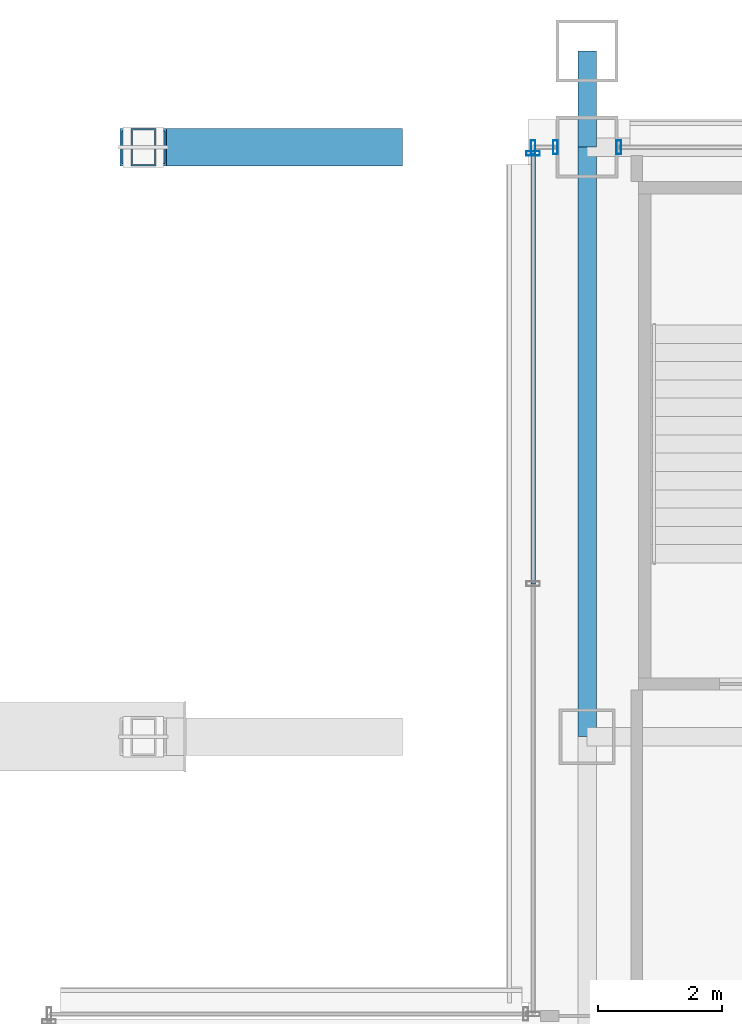
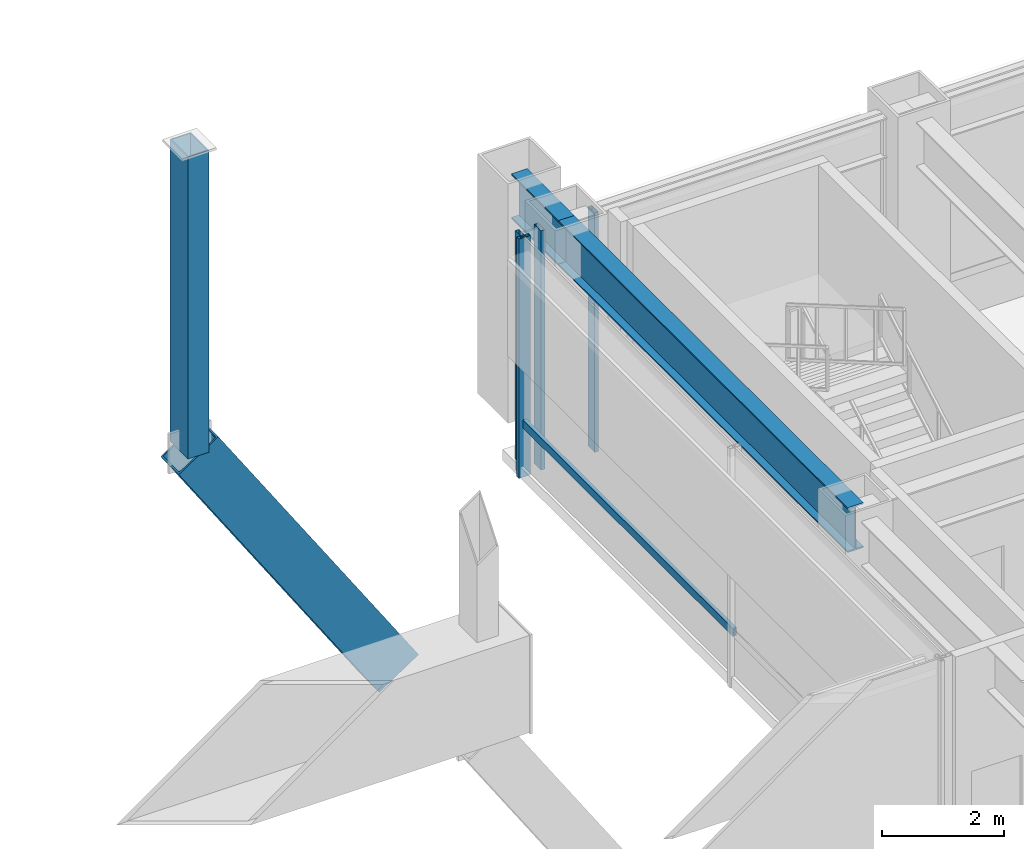
# One storey, part 26 of 42: 7 members, 2 beams, 3 elements without a shape of their own.
"""IFC4 building model written with IfcOpenShell, lengths in metres."""

import ifcopenshell
import ifcopenshell.guid

model = None  # the IFC model being written
_history = None  # IfcOwnerHistory: only IFC2X3 demands one
_inside = {}  # id of a spatial element -> (the spatial element, [elements in it])
_under = {}  # id of a project, library or spatial element -> (it, [spatial elements below it])
_declared = {}  # id of a project -> (the project, [libraries it declares])
_typed = {}  # id of a type object -> (the type object, [elements of that type])
_made_of = {}  # id of a material, layer set ... -> (it, [elements and type objects made of it])


def new_model(schema):
    """Start an empty IFC model of exactly this schema.

    Asked for "IFC4X3", IfcOpenShell would pick the latest addendum, in which some entities
    have other attributes; the version numbers below select the first issue.
    IFC2X3 requires an IfcOwnerHistory on every rooted entity: one is made here for all.
    """
    global model, _history
    if schema == "IFC4X3":
        model = ifcopenshell.file(schema_version=(4, 3, 0, 0))
    else:
        model = ifcopenshell.file(schema=schema)
    _inside.clear()
    _under.clear()
    _declared.clear()
    _typed.clear()
    _made_of.clear()
    _history = None
    if model.schema == "IFC2X3":
        org = make("IfcOrganization", Name="unknown")
        user = make(
            "IfcPersonAndOrganization",
            ThePerson=make("IfcPerson", FamilyName="unknown"),
            TheOrganization=org,
        )
        app = make(
            "IfcApplication",
            ApplicationDeveloper=org,
            Version="unknown",
            ApplicationFullName="unknown",
            ApplicationIdentifier="unknown",
        )
        _history = make(
            "IfcOwnerHistory",
            OwningUser=user,
            OwningApplication=app,
            ChangeAction="ADDED",
            CreationDate=0,
        )
    return model


def make(cls, **values):
    """One entity of the class cls with the attributes given. An attribute that is None is left unset."""
    return model.create_entity(
        cls, **{name: value for name, value in values.items() if value is not None}
    )


def rooted(cls, **values):
    """An entity with a GlobalId (a new one), such as an element, a storey or a relation."""
    return make(cls, GlobalId=ifcopenshell.guid.new(), OwnerHistory=_history, **values)


def si_unit(unit_type, name, prefix=None):
    """IfcSIUnit, for example si_unit("LENGTHUNIT", "METRE", prefix="MILLI")."""
    return make("IfcSIUnit", UnitType=unit_type, Prefix=prefix, Name=name)


def assignment(units):
    """IfcUnitAssignment: the units of a project."""
    return None if units is None else make("IfcUnitAssignment", Units=units)


def point(xyz):
    """IfcCartesianPoint."""
    return None if xyz is None else make("IfcCartesianPoint", Coordinates=xyz)


def direction(xyz):
    """IfcDirection."""
    return None if xyz is None else make("IfcDirection", DirectionRatios=xyz)


def frame(location, z_axis=None, x_axis=None):
    """IfcAxis2Placement3D, a coordinate frame: its origin and axes. An axis left out is left unset."""
    return make(
        "IfcAxis2Placement3D",
        Location=point(location),
        Axis=direction(z_axis),
        RefDirection=direction(x_axis),
    )


def frame_2d(location, x_axis=None):
    """IfcAxis2Placement2D, a coordinate frame in the plane: its origin and x axis."""
    return make(
        "IfcAxis2Placement2D", Location=point(location), RefDirection=direction(x_axis)
    )


def origin():
    """The frame at (0, 0, 0) with its axes left unset."""
    return frame((0.0, 0.0, 0.0))


def origin_2d():
    """The frame at (0, 0) in the plane with its x axis left unset."""
    return frame_2d((0.0, 0.0))


def place(relative_to, where):
    """IfcLocalPlacement: puts the frame where relative to a parent placement (None: the world)."""
    return make(
        "IfcLocalPlacement", PlacementRelTo=relative_to, RelativePlacement=where
    )


def context(
    kind, dimensions, precision=None, world=None, true_north=None, identifier=None
):
    """IfcGeometricRepresentationContext, for example the 3D "Model" context."""
    return make(
        "IfcGeometricRepresentationContext",
        ContextIdentifier=identifier,
        ContextType=kind,
        CoordinateSpaceDimension=dimensions,
        Precision=precision,
        WorldCoordinateSystem=world,
        TrueNorth=true_north,
    )


def subcontext(parent, identifier, kind, view, scale=None):
    """IfcGeometricRepresentationSubContext, for example "Body" below "Model"."""
    return make(
        "IfcGeometricRepresentationSubContext",
        ContextIdentifier=identifier,
        ContextType=kind,
        ParentContext=parent,
        TargetScale=scale,
        TargetView=view,
    )


def project(units=None, contexts=None):
    """IfcProject with its units and contexts."""
    return rooted(
        "IfcProject",
        Name="project",
        RepresentationContexts=contexts,
        UnitsInContext=assignment(units),
    )


def spatial(cls, under=None, at=None, **own):
    """A site, building, storey or space (cls), placed at a placement, below another one or the project."""
    s = rooted(cls, ObjectPlacement=at, **own)
    if under is not None:
        _under.setdefault(under.id(), (under, []))[1].append(s)
    return s


def profile(cls, at=None, kind="AREA", **sizes):
    """A parametric profile (cls). Its sizes go by their IFC names, for example OverallWidth=200.0."""
    return make(cls, ProfileType=kind, Position=at, **sizes)


def hollow_rectangle(**sizes):
    """IfcRectangleHollowProfileDef."""
    return profile("IfcRectangleHollowProfileDef", **sizes)


def i_section(**sizes):
    """IfcIShapeProfileDef."""
    return profile("IfcIShapeProfileDef", **sizes)


def extrude(swept, where, along, depth):
    """IfcExtrudedAreaSolid: the profile swept, set in the frame where, extruded along a direction by depth."""
    return make(
        "IfcExtrudedAreaSolid",
        SweptArea=swept,
        Position=where,
        ExtrudedDirection=direction(along),
        Depth=depth,
    )


def shape(context_of_items, identifier, shape_type, items):
    """IfcShapeRepresentation: the items that make up one representation, for example the "Body"."""
    return make(
        "IfcShapeRepresentation",
        ContextOfItems=context_of_items,
        RepresentationIdentifier=identifier,
        RepresentationType=shape_type,
        Items=items,
    )


def material(Name=None, Category=None):
    """IfcMaterial."""
    return make("IfcMaterial", Name=Name, Category=Category)


def layer(
    of_material, thickness, ventilated=None, Name=None, Category=None, Priority=None
):
    """IfcMaterialLayer: one layer of a wall or slab, of a material (None: an air gap)."""
    return make(
        "IfcMaterialLayer",
        Material=of_material,
        LayerThickness=thickness,
        IsVentilated=ventilated,
        Name=Name,
        Category=Category,
        Priority=Priority,
    )


def layer_set(layers, Name=None):
    """IfcMaterialLayerSet."""
    return make("IfcMaterialLayerSet", MaterialLayers=layers, LayerSetName=Name)


def material_profile(
    of_material, cross_section, Name=None, Category=None, Priority=None
):
    """IfcMaterialProfile: a cross section and its material."""
    return make(
        "IfcMaterialProfile",
        Name=Name,
        Material=of_material,
        Profile=cross_section,
        Priority=Priority,
        Category=Category,
    )


def profile_set(profiles, Name=None, composite=None):
    """IfcMaterialProfileSet."""
    return make(
        "IfcMaterialProfileSet",
        Name=Name,
        MaterialProfiles=profiles,
        CompositeProfile=composite,
    )


def made_of(thing, what):
    """Note that an element or type object is made of a material, layer set ...; save() writes the relation."""
    if what is not None:
        _made_of.setdefault(what.id(), (what, []))[1].append(thing)
    return thing


def type_object(cls, material=None, **own):
    """A type object (cls), such as IfcWallType, which elements share."""
    return made_of(rooted(cls, **own), material)


def element(
    cls,
    number,
    at=None,
    inside=None,
    cuts=None,
    type_object=None,
    material=None,
    context=None,
    identifier="Body",
    shape_type=None,
    held_by="IfcProductDefinitionShape",
    body=None,
    shapes=None,
    **own,
):
    """One element of the class cls, such as IfcWall. Its Tag is "e" and its number.

    at: its placement. inside: the storey or other place that contains it. cuts: it is an
    opening in that element (IfcRelVoidsElement). A single representation is given by context,
    identifier, shape_type and body (its items); several are given by shapes. held_by: the class
    of the entity that holds the representations. save() writes the other relations.
    """
    e = rooted(cls, Tag="e%d" % number, ObjectPlacement=at, **own)
    if body is not None:
        shapes = [shape(context, identifier, shape_type, body)]
    if shapes is not None:
        e.Representation = make(held_by, Representations=shapes)
    if inside is not None:
        _inside.setdefault(inside.id(), (inside, []))[1].append(e)
    if cuts is not None:
        rooted(
            "IfcRelVoidsElement", RelatingBuildingElement=cuts, RelatedOpeningElement=e
        )
    if type_object is not None:
        _typed.setdefault(type_object.id(), (type_object, []))[1].append(e)
    return made_of(e, material)


def aggregate(whole, parts):
    """IfcRelAggregates: a whole, such as a stair, and the parts it consists of."""
    return rooted("IfcRelAggregates", RelatingObject=whole, RelatedObjects=parts)


def save(model, path):
    """Write the relations noted so far, then the file.

    IfcRelAggregates (storeys below a building ...), IfcRelContainedInSpatialStructure (elements
    in a storey), IfcRelDefinesByType, IfcRelAssociatesMaterial and IfcRelDeclares: one each for
    every whole, place, type object, material and project.
    """
    for whole, parts in _under.values():
        aggregate(whole, parts)
    for where, things in _inside.values():
        rooted(
            "IfcRelContainedInSpatialStructure",
            RelatedElements=things,
            RelatingStructure=where,
        )
    for kind, things in _typed.values():
        rooted("IfcRelDefinesByType", RelatedObjects=things, RelatingType=kind)
    for what, things in _made_of.values():
        rooted("IfcRelAssociatesMaterial", RelatedObjects=things, RelatingMaterial=what)
    for by, libraries in _declared.values():
        rooted("IfcRelDeclares", RelatingContext=by, RelatedDefinitions=libraries)
    model.write(path)


model = new_model("IFC4")

# Units and contexts
model_context = context("Model", 3, precision=1e-05, world=origin(), true_north=direction((0.0, 1.0)))
body_context = subcontext(model_context, "Body", "Model", "MODEL_VIEW")
ifc_project = project(units=[si_unit("LENGTHUNIT", "METRE"), si_unit("AREAUNIT", "SQUARE_METRE"), si_unit("VOLUMEUNIT", "CUBIC_METRE"), si_unit("PLANEANGLEUNIT", "RADIAN"), si_unit("MASSUNIT", "GRAM", prefix="KILO")], contexts=[model_context])

# Site, building, storey
site_placement = place(None, origin())
site = spatial("IfcSite", under=ifc_project, at=site_placement, CompositionType="ELEMENT")
building_placement = place(site_placement, origin())
building = spatial("IfcBuilding", under=site, at=building_placement, Name="Brelmoor Portico Tower", CompositionType="ELEMENT")
storey_placement = place(building_placement, frame((0.0, 0.0, 9.60009765625)))
storey = spatial("IfcBuildingStorey", under=building, at=storey_placement, Name="L02", CompositionType="ELEMENT", Elevation=9.60009765625)

# Beams
ifc_material_1 = material(Name="Steel Q355B", Category="steel")
ifc_material_profile_1 = material_profile(ifc_material_1, i_section(OverallWidth=0.300048828125, OverallDepth=0.89990234375, WebThickness=0.01611328125, FlangeThickness=0.028076171875, at=origin_2d()), Name="HN 900x300x16x28")
ifc_profile_set_1 = profile_set([ifc_material_profile_1], Name="Steel Q355B")
beam_type = type_object("IfcBeamType", Name="BM-PG-900", PredefinedType="BEAM", material=ifc_profile_set_1)
beam_1_placement = place(storey_placement, frame((14.550048828125, 18.050048828125, 4.1298828125), z_axis=(0.0, 1.0, 0.0), x_axis=(-1.0, 0.0, 0.0)))
element("IfcBeam", 1, at=beam_1_placement, inside=storey, type_object=beam_type, Name="L02 Primary Floor Girder PG-17", PredefinedType="BEAM", context=body_context, shape_type="SweptSolid", body=[
    extrude(i_section(OverallWidth=0.300048828125, OverallDepth=0.89990234375, WebThickness=0.01611328125, FlangeThickness=0.028076171875, at=origin_2d()), origin(), (0.0, 0.0, 1.0), 9.5),
])
beam_2_placement = place(storey_placement, frame((14.550048828125, 27.550048828125, 4.1298828125), z_axis=(0.0, 1.0, 0.0), x_axis=(-1.0, 0.0, 0.0)))
element("IfcBeam", 2, at=beam_2_placement, inside=storey, type_object=beam_type, Name="L02 Primary Floor Girder PG-18", PredefinedType="BEAM", context=body_context, shape_type="SweptSolid", body=[
    extrude(i_section(OverallWidth=0.300048828125, OverallDepth=0.89990234375, WebThickness=0.01611328125, FlangeThickness=0.028076171875, at=origin_2d()), origin(), (0.0, 0.0, 1.0), 1.550048828125),
])

# Members
ifc_material_2 = material(Name="Steel Q420B", Category="steel")
ifc_material_profile_2 = material_profile(ifc_material_2, hollow_rectangle(XDim=0.60009765625, YDim=0.89990234375, WallThickness=0.035888671875, at=origin_2d()), Name="RHS 600x900x36")
ifc_profile_set_2 = profile_set([ifc_material_profile_2], Name="Steel Q420B")
member_type_1 = type_object("IfcMemberType", Name="MB-ARCH-RIB", PredefinedType="CHORD", material=ifc_profile_set_2)
member_1_placement = place(storey_placement, frame((7.39990234375, 27.550048828125, 2.5), z_axis=(0.554691972244, 0.0, -0.832055776933), x_axis=(0.0, 1.0, 0.0)))
element("IfcMember", 3, at=member_1_placement, inside=storey, type_object=member_type_1, Name="Giant Portico Arch Rib N1-7", PredefinedType="CHORD", context=body_context, shape_type="SweptSolid", body=[
    extrude(hollow_rectangle(XDim=0.60009765625, YDim=0.89990234375, WallThickness=0.035888671875, at=origin_2d()), origin(), (0.0, 0.0, 1.0), 6.850830078125),
])
ifc_material_profile_3 = material_profile(ifc_material_1, hollow_rectangle(XDim=0.39990234375, YDim=0.60009765625, WallThickness=0.02392578125, at=origin_2d()), Name="RHS 400x600x24")
ifc_profile_set_3 = profile_set([ifc_material_profile_3], Name="Steel Q355B")
member_type_2 = type_object("IfcMemberType", Name="MB-ARCH-STRUT", PredefinedType="BRACE", material=ifc_profile_set_3)
member_2_placement = place(storey_placement, frame((7.39990234375, 27.550048828125, 2.5), z_axis=(0.0, 0.0, 1.0), x_axis=(1.0, 0.0, 0.0)))
element("IfcMember", 4, at=member_2_placement, inside=storey, type_object=member_type_2, Name="Portico Arch Spandrel Strut N1-5", PredefinedType="BRACE", context=body_context, shape_type="SweptSolid", body=[
    extrude(hollow_rectangle(XDim=0.39990234375, YDim=0.60009765625, WallThickness=0.02392578125, at=origin_2d()), origin(), (0.0, 0.0, 1.0), 6.054931640625),
])

# Curtain wall, members
ifc_material_3 = material(Name="Anodised Aluminium Alloy 6063-T6", Category="aluminium")
ifc_layer = layer(ifc_material_3, 0.179931640625)
ifc_layer_set = layer_set([ifc_layer], Name="Anodised Aluminium Alloy 6063-T6")
curtain_wall_type = type_object("IfcCurtainWallType", Name="CW-PODIUM-ARCH", PredefinedType="NOTDEFINED", material=ifc_layer_set)
curtain_wall_1_placement = place(storey_placement, origin())
curtain_wall_1 = element("IfcCurtainWall", 5, at=curtain_wall_1_placement, inside=storey, type_object=curtain_wall_type, Name="L02 Curtain Wall CW-L02-04-1", PredefinedType="NOTDEFINED")
ifc_material_profile_4 = material_profile(ifc_material_3, hollow_rectangle(XDim=0.074951171875, YDim=0.219970703125, WallThickness=0.0048828125, at=origin_2d()), Name="ALU MULLION 75x220")
ifc_profile_set_4 = profile_set([ifc_material_profile_4], Name="Anodised Aluminium Alloy 6063-T6")
member_type_3 = type_object("IfcMemberType", Name="MB-CW-MULL-220", PredefinedType="MULLION", material=ifc_profile_set_4)
member_3_placement = place(storey_placement, frame((13.679931640625, 27.550048828125, -0.22021484375), z_axis=(0.0, 0.0, 1.0), x_axis=(1.0, 0.0, 0.0)))
member_3 = element("IfcMember", 6, at=member_3_placement, type_object=member_type_3, Name="CW-L02-04-1 Mullion 00", PredefinedType="MULLION", context=body_context, shape_type="SweptSolid", body=[
    extrude(hollow_rectangle(XDim=0.074951171875, YDim=0.219970703125, WallThickness=0.0048828125, at=origin_2d()), origin(), (0.0, 0.0, 1.0), 4.800048828125),
])
member_4_placement = place(storey_placement, frame((14.0400390625, 27.550048828125, -0.22021484375), z_axis=(0.0, 0.0, 1.0), x_axis=(1.0, 0.0, 0.0)))
member_4 = element("IfcMember", 7, at=member_4_placement, type_object=member_type_3, Name="CW-L02-04-1 Mullion 01", PredefinedType="MULLION", context=body_context, shape_type="SweptSolid", body=[
    extrude(hollow_rectangle(XDim=0.074951171875, YDim=0.219970703125, WallThickness=0.0048828125, at=origin_2d()), origin(), (0.0, 0.0, 1.0), 4.800048828125),
])
aggregate(curtain_wall_1, [member_3, member_4])

# Curtain wall, member
curtain_wall_2_placement = place(storey_placement, origin())
curtain_wall_2 = element("IfcCurtainWall", 8, at=curtain_wall_2_placement, inside=storey, type_object=curtain_wall_type, Name="L02 Curtain Wall CW-L02-04-2", PredefinedType="NOTDEFINED")
member_5_placement = place(storey_placement, frame((15.06005859375, 27.550048828125, -0.22021484375), z_axis=(0.0, 0.0, 1.0), x_axis=(1.0, 0.0, 0.0)))
member_5 = element("IfcMember", 9, at=member_5_placement, type_object=member_type_3, Name="CW-L02-04-2 Mullion 00", PredefinedType="MULLION", context=body_context, shape_type="SweptSolid", body=[
    extrude(hollow_rectangle(XDim=0.074951171875, YDim=0.219970703125, WallThickness=0.0048828125, at=origin_2d()), origin(), (0.0, 0.0, 1.0), 4.800048828125),
])
aggregate(curtain_wall_2, [member_5])

# Curtain wall, members
curtain_wall_3_placement = place(storey_placement, origin())
curtain_wall_3 = element("IfcCurtainWall", 10, at=curtain_wall_3_placement, inside=storey, type_object=curtain_wall_type, Name="L02 Curtain Wall CW-L02-10", PredefinedType="NOTDEFINED")
member_6_placement = place(storey_placement, frame((13.679931640625, 27.449951171875, -0.22021484375), z_axis=(0.0, 0.0, 1.0), x_axis=(0.0, 1.0, 0.0)))
member_6 = element("IfcMember", 11, at=member_6_placement, type_object=member_type_3, Name="CW-L02-10 Mullion 02", PredefinedType="MULLION", context=body_context, shape_type="SweptSolid", body=[
    extrude(hollow_rectangle(XDim=0.074951171875, YDim=0.219970703125, WallThickness=0.0048828125, at=origin_2d()), origin(), (0.0, 0.0, 1.0), 4.800048828125),
])
ifc_material_profile_5 = material_profile(ifc_material_3, hollow_rectangle(XDim=0.070068359375, YDim=0.159912109375, WallThickness=0.00390625, at=origin_2d()), Name="ALU TRANSOM 70x160")
ifc_profile_set_5 = profile_set([ifc_material_profile_5], Name="Anodised Aluminium Alloy 6063-T6")
member_type_4 = type_object("IfcMemberType", Name="MB-CW-TRAN-160", PredefinedType="USERDEFINED", material=ifc_profile_set_5)
member_7_placement = place(storey_placement, frame((13.679931640625, 20.514892578125, 0.849853515625), z_axis=(0.0, 1.0, 0.0), x_axis=(-1.0, 0.0, 0.0)))
member_7 = element("IfcMember", 12, at=member_7_placement, type_object=member_type_4, Name="CW-L02-10 Transom 1-01", ObjectType="TRANSOM", PredefinedType="USERDEFINED", context=body_context, shape_type="SweptSolid", body=[
    extrude(hollow_rectangle(XDim=0.070068359375, YDim=0.159912109375, WallThickness=0.00390625, at=origin_2d()), origin(), (0.0, 0.0, 1.0), 6.93505859375),
])
aggregate(curtain_wall_3, [member_6, member_7])

save(model, "model.ifc")
